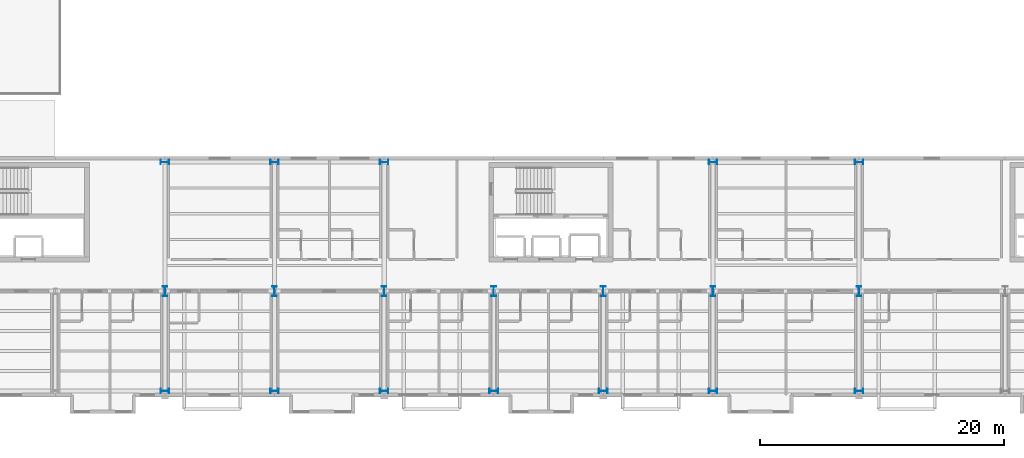
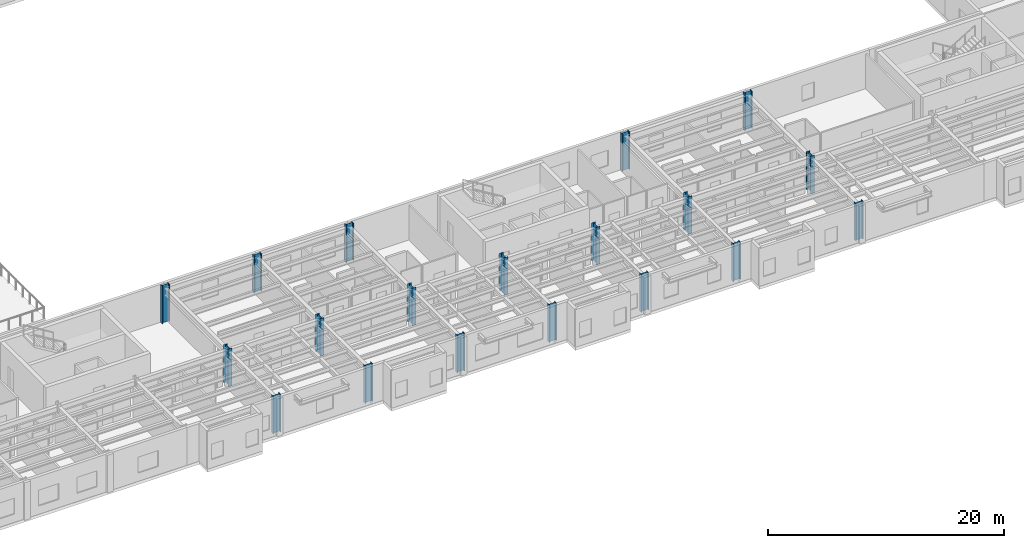
# One storey, part 4 of 59: 19 columns.
"""IFC4 building model written with IfcOpenShell, lengths in metres."""

from ifc_helpers import new_model, si_unit, direction, frame, origin, origin_2d, place, context, subcontext, project, spatial, i_section, extrude, material, material_profile, profile_set, type_object, element, save


model = new_model("IFC4")

# Units and contexts
model_context = context("Model", 3, precision=1e-05, world=origin(), true_north=direction((0.0, 1.0)))
body_context = subcontext(model_context, "Body", "Model", "MODEL_VIEW")
ifc_project = project(units=[si_unit("LENGTHUNIT", "METRE"), si_unit("AREAUNIT", "SQUARE_METRE"), si_unit("VOLUMEUNIT", "CUBIC_METRE"), si_unit("PLANEANGLEUNIT", "RADIAN"), si_unit("MASSUNIT", "GRAM", prefix="KILO")], contexts=[model_context])

# Site, building, storey
site_placement = place(None, origin())
site = spatial("IfcSite", under=ifc_project, at=site_placement, CompositionType="ELEMENT")
building_placement = place(site_placement, origin())
building = spatial("IfcBuilding", under=site, at=building_placement, Name="Sollismere Congress Hotel", CompositionType="ELEMENT")
storey_placement = place(building_placement, frame((0.0, 0.0, 15.60009765625)))
storey = spatial("IfcBuildingStorey", under=building, at=storey_placement, Name="L03", CompositionType="ELEMENT", Elevation=15.60009765625)

# Columns
ifc_material = material(Name="Steel ASTM A992 Grade 50", Category="steel")
ifc_material_profile_1 = material_profile(ifc_material, i_section(OverallWidth=0.35595703125, OverallDepth=0.714111328125, WebThickness=0.01904296875, FlangeThickness=0.033935546875, at=origin_2d()), Name="W27X194")
ifc_profile_set_1 = profile_set([ifc_material_profile_1], Name="Steel ASTM A992 Grade 50")
column_type_1 = type_object("IfcColumnType", Name="COL-W27", PredefinedType="COLUMN", material=ifc_profile_set_1)
for number, where, z_axis, x_axis, name in (
    (1, (67.0, 0.0, 0.0), (0.0, 0.0, 1.0), (0.0, 1.0, 0.0), "Column CL-L03-280"),
    (2, (67.0, 18.800048828125, 0.0), (0.0, 0.0, 1.0), (0.0, 1.0, 0.0), "Column CL-L03-302"),
    (3, (76.0, 0.0, 0.0), (0.0, 0.0, 1.0), (0.0, 1.0, 0.0), "Column CL-L03-344"),
    (4, (76.0, 18.800048828125, 0.0), (0.0, 0.0, 1.0), (0.0, 1.0, 0.0), "Column CL-L03-366"),
    (5, (85.0, 0.0, 0.0), (0.0, 0.0, 1.0), (0.0, 1.0, 0.0), "Column CL-L03-397"),
    (6, (85.0, 18.800048828125, 0.0), (0.0, 0.0, 1.0), (0.0, 1.0, 0.0), "Column CL-L03-423"),
    (7, (94.0, 0.0, 0.0), (0.0, 0.0, 1.0), (0.0, 1.0, 0.0), "Column CL-L03-456"),
    (8, (103.0, 0.0, 0.0), (0.0, 0.0, 1.0), (0.0, 1.0, 0.0), "Column CL-L03-514"),
    (9, (112.0, 0.0, 0.0), (0.0, 0.0, 1.0), (0.0, 1.0, 0.0), "Column CL-L03-572"),
    (10, (112.0, 18.800048828125, 0.0), (0.0, 0.0, 1.0), (0.0, 1.0, 0.0), "Column CL-L03-598"),
    (11, (124.0, 0.0, 0.0), (0.0, 0.0, 1.0), (0.0, 1.0, 0.0), "Column CL-L03-650"),
    (12, (124.0, 18.800048828125, 0.0), (0.0, 0.0, 1.0), (0.0, 1.0, 0.0), "Column CL-L03-676"),
):
    element("IfcColumn", number, at=place(storey_placement, frame(where, z_axis=z_axis, x_axis=x_axis)), inside=storey, type_object=column_type_1, Name=name, PredefinedType="COLUMN", context=body_context, shape_type="SweptSolid", body=[
        extrude(i_section(OverallWidth=0.35595703125, OverallDepth=0.714111328125, WebThickness=0.01904296875, FlangeThickness=0.033935546875, at=origin_2d()), origin(), (0.0, 0.0, 1.0), 3.89990234375),
    ])
ifc_material_profile_2 = material_profile(ifc_material, i_section(OverallWidth=0.384033203125, OverallDepth=0.787109375, WebThickness=0.019775390625, FlangeThickness=0.033447265625, at=origin_2d()), Name="W30X211")
ifc_profile_set_2 = profile_set([ifc_material_profile_2], Name="Steel ASTM A992 Grade 50")
column_type_2 = type_object("IfcColumnType", Name="COL-W30", PredefinedType="COLUMN", material=ifc_profile_set_2)
for number, where, z_axis, x_axis, name in (
    (13, (67.0, 8.199951171875, 0.0), (0.0, 0.0, 1.0), (1.0, 0.0, 0.0), "Column CL-L03-291"),
    (14, (76.0, 8.199951171875, 0.0), (0.0, 0.0, 1.0), (1.0, 0.0, 0.0), "Column CL-L03-355"),
    (15, (85.0, 8.199951171875, 0.0), (0.0, 0.0, 1.0), (1.0, 0.0, 0.0), "Column CL-L03-410"),
    (16, (94.0, 8.199951171875, 0.0), (0.0, 0.0, 1.0), (1.0, 0.0, 0.0), "Column CL-L03-469"),
    (17, (103.0, 8.199951171875, 0.0), (0.0, 0.0, 1.0), (1.0, 0.0, 0.0), "Column CL-L03-527"),
    (18, (112.0, 8.199951171875, 0.0), (0.0, 0.0, 1.0), (1.0, 0.0, 0.0), "Column CL-L03-585"),
    (19, (124.0, 8.199951171875, 0.0), (0.0, 0.0, 1.0), (1.0, 0.0, 0.0), "Column CL-L03-663"),
):
    element("IfcColumn", number, at=place(storey_placement, frame(where, z_axis=z_axis, x_axis=x_axis)), inside=storey, type_object=column_type_2, Name=name, PredefinedType="COLUMN", context=body_context, shape_type="SweptSolid", body=[
        extrude(i_section(OverallWidth=0.384033203125, OverallDepth=0.787109375, WebThickness=0.019775390625, FlangeThickness=0.033447265625, at=origin_2d()), origin(), (0.0, 0.0, 1.0), 3.89990234375),
    ])

save(model, "model.ifc")
